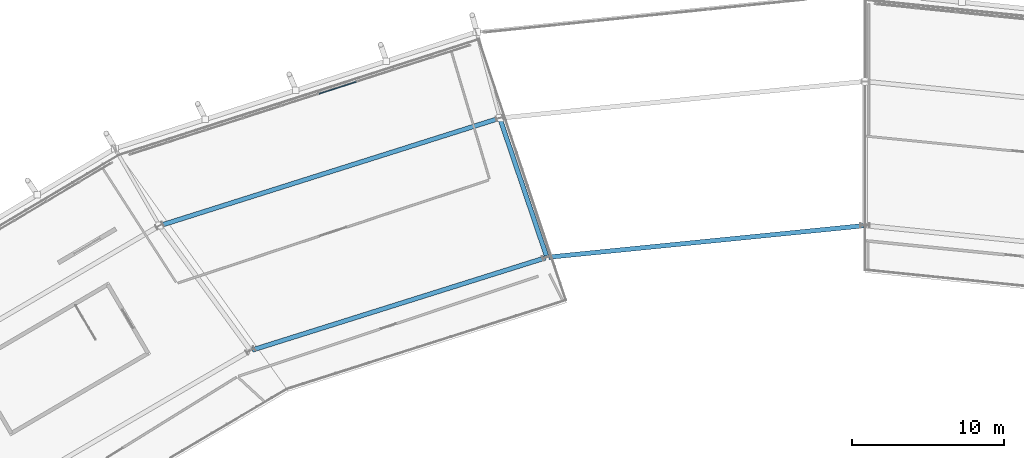
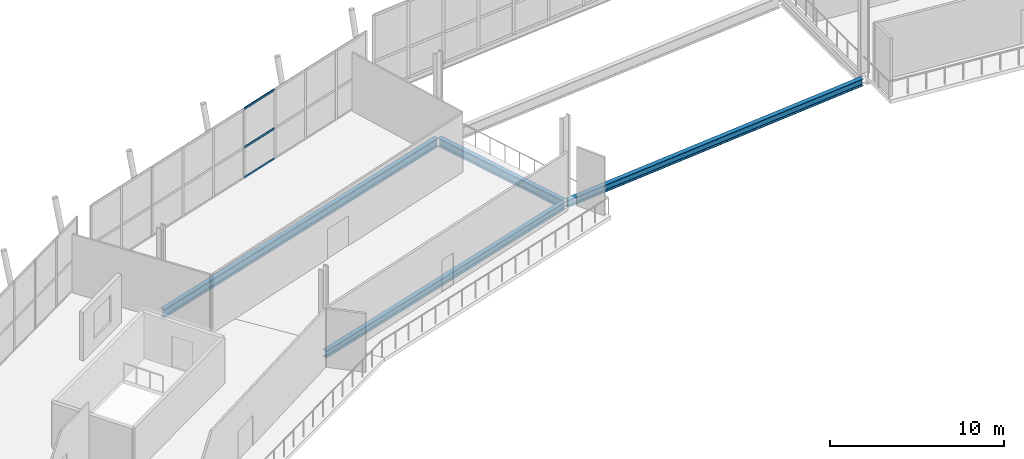
# One storey, part 46 of 99: 4 beams, 3 members, 1 element without a shape of its own.
"""IFC4 building model written with IfcOpenShell, lengths in metres."""

from ifc_helpers import new_model, si_unit, direction, frame, origin, origin_2d, place, context, subcontext, project, spatial, rectangle, i_section, extrude, material, material_profile, profile_set, type_object, element, aggregate, save


model = new_model("IFC4")

# Units and contexts
model_context = context("Model", 3, precision=1e-05, world=origin(), true_north=direction((0.0, 1.0)))
body_context = subcontext(model_context, "Body", "Model", "MODEL_VIEW")
ifc_project = project(units=[si_unit("LENGTHUNIT", "METRE"), si_unit("AREAUNIT", "SQUARE_METRE"), si_unit("VOLUMEUNIT", "CUBIC_METRE"), si_unit("PLANEANGLEUNIT", "RADIAN"), si_unit("MASSUNIT", "GRAM", prefix="KILO")], contexts=[model_context])

# Site, building, storey
site_placement = place(None, origin())
site = spatial("IfcSite", under=ifc_project, at=site_placement, CompositionType="ELEMENT")
building_placement = place(site_placement, origin())
building = spatial("IfcBuilding", under=site, at=building_placement, Name="Zlatoyarsky Gate Stadium", CompositionType="ELEMENT")
storey_placement = place(building_placement, frame((0.0, 0.0, 26.199951171875)))
storey = spatial("IfcBuildingStorey", under=building, at=storey_placement, Name="L05", CompositionType="ELEMENT", Elevation=26.199951171875)

# Curtain wall, members
ifc_material_1 = material(Name="Thermally broken anodised aluminium curtain wall", Category="aluminium")
curtain_wall_type = type_object("IfcCurtainWallType", Name="UNITISED SKYBOX RING GLAZING L05", PredefinedType="USERDEFINED", material=ifc_material_1)
curtain_wall_placement = place(storey_placement, origin())
curtain_wall = element("IfcCurtainWall", 1, at=curtain_wall_placement, inside=storey, type_object=curtain_wall_type, Name="Curtain wall CW-L05-07", ObjectType="UNITISED GLAZING", PredefinedType="USERDEFINED")
ifc_material_2 = material(Name="Anodised aluminium 6063-T6", Category="aluminium")
ifc_material_profile_1 = material_profile(ifc_material_2, rectangle(XDim=0.06494140625, YDim=0.139892578125, at=origin_2d()), Name="ALU 65X140")
ifc_profile_set_1 = profile_set([ifc_material_profile_1], Name="Anodised aluminium 6063-T6")
member_type = type_object("IfcMemberType", Name="ALUMINIUM TRANSOM 65X140", PredefinedType="USERDEFINED", material=ifc_profile_set_1)
member_1_placement = place(storey_placement, frame((77.45947265625, 150.969482421875, 0.032470703125), z_axis=(-0.952031545133, -0.305999897176, 0.0), x_axis=(0.305999897176, -0.952031545133, 0.0)))
member_1 = element("IfcMember", 2, at=member_1_placement, type_object=member_type, Name="CW-UG5 transom 4.1", ObjectType="TRANSOM", PredefinedType="USERDEFINED", context=body_context, shape_type="SweptSolid", body=[
    extrude(rectangle(XDim=0.06494140625, YDim=0.139892578125, at=origin_2d()), origin(), (0.0, 0.0, 1.0), 2.553955078125),
])
member_2_placement = place(storey_placement, frame((77.45947265625, 150.969482421875, 2.150146484375), z_axis=(-0.952031545133, -0.305999897176, 0.0), x_axis=(0.305999897176, -0.952031545133, 0.0)))
member_2 = element("IfcMember", 3, at=member_2_placement, type_object=member_type, Name="CW-UG5 transom 4.2", ObjectType="TRANSOM", PredefinedType="USERDEFINED", context=body_context, shape_type="SweptSolid", body=[
    extrude(rectangle(XDim=0.06494140625, YDim=0.139892578125, at=origin_2d()), origin(), (0.0, 0.0, 1.0), 2.553955078125),
])
member_3_placement = place(storey_placement, frame((77.45947265625, 150.969482421875, 4.84765625), z_axis=(-0.952031545133, -0.305999897176, 0.0), x_axis=(0.305999897176, -0.952031545133, 0.0)))
member_3 = element("IfcMember", 4, at=member_3_placement, type_object=member_type, Name="CW-UG5 transom 4.3", ObjectType="TRANSOM", PredefinedType="USERDEFINED", context=body_context, shape_type="SweptSolid", body=[
    extrude(rectangle(XDim=0.06494140625, YDim=0.139892578125, at=origin_2d()), origin(), (0.0, 0.0, 1.0), 2.553955078125),
])
aggregate(curtain_wall, [member_1, member_2, member_3])

# Beams
ifc_material_3 = material(Name="Steel S355", Category="steel")
ifc_material_profile_2 = material_profile(ifc_material_3, i_section(OverallWidth=0.300048828125, OverallDepth=0.5, WebThickness=0.014404296875, FlangeThickness=0.028076171875, FilletRadius=0.027099609375, at=origin_2d()), Name="HEB 500")
ifc_profile_set_2 = profile_set([ifc_material_profile_2], Name="Steel S355")
beam_type_1 = type_object("IfcBeamType", Name="STEEL PRIMARY GIRDER HEB 500", PredefinedType="BEAM", material=ifc_profile_set_2)
beam_1_placement = place(storey_placement, frame((110.880615234375, 141.488037109375, -0.510009765625), z_axis=(-0.995040903182, -0.099466582298, 0.0), x_axis=(0.099466582298, -0.995040903182, 0.0)))
element("IfcBeam", 5, at=beam_1_placement, inside=storey, type_object=beam_type_1, Name="Beam G-HEB500 BM-L05-CRB-06", PredefinedType="BEAM", context=body_context, shape_type="SweptSolid", body=[
    extrude(i_section(OverallWidth=0.300048828125, OverallDepth=0.5, WebThickness=0.014404296875, FlangeThickness=0.028076171875, FilletRadius=0.027099609375, at=origin_2d()), origin(), (0.0, 0.0, 1.0), 20.828857421875),
])
beam_2_placement = place(storey_placement, frame((89.921142578125, 139.368408203125, -0.510009765625), z_axis=(-0.953937507984, -0.300005384719, 0.0), x_axis=(0.300005384719, -0.953937507984, 0.0)))
element("IfcBeam", 6, at=beam_2_placement, inside=storey, type_object=beam_type_1, Name="Beam G-HEB500 BM-L05-CRB-07", PredefinedType="BEAM", context=body_context, shape_type="SweptSolid", body=[
    extrude(i_section(OverallWidth=0.300048828125, OverallDepth=0.5, WebThickness=0.014404296875, FlangeThickness=0.028076171875, FilletRadius=0.027099609375, at=origin_2d()), origin(), (0.0, 0.0, 1.0), 20.239013671875),
])
ifc_material_profile_3 = material_profile(ifc_material_3, i_section(OverallWidth=0.300048828125, OverallDepth=0.60009765625, WebThickness=0.015380859375, FlangeThickness=0.030029296875, FilletRadius=0.027099609375, at=origin_2d()), Name="HEB 600")
ifc_profile_set_3 = profile_set([ifc_material_profile_3], Name="Steel S355")
beam_type_2 = type_object("IfcBeamType", Name="STEEL PRIMARY GIRDER HEB 600", PredefinedType="BEAM", material=ifc_profile_set_3)
beam_3_placement = place(storey_placement, frame((89.997314453125, 139.51806640625, -0.56005859375), z_axis=(-0.320612225581, 0.947210536686, 0.0), x_axis=(-0.947210536686, -0.320612225581, 0.0)))
element("IfcBeam", 7, at=beam_3_placement, inside=storey, type_object=beam_type_2, Name="Beam G-HEB600 BM-L05-RBC-07", PredefinedType="BEAM", context=body_context, shape_type="SweptSolid", body=[
    extrude(i_section(OverallWidth=0.300048828125, OverallDepth=0.60009765625, WebThickness=0.015380859375, FlangeThickness=0.030029296875, FilletRadius=0.027099609375, at=origin_2d()), origin(), (0.0, 0.0, 1.0), 9.44775390625),
])
beam_4_placement = place(storey_placement, frame((86.8154296875, 148.54443359375, -0.56005859375), z_axis=(-0.953463107403, -0.301509706015, 0.0), x_axis=(0.301509706015, -0.953463107403, 0.0)))
element("IfcBeam", 8, at=beam_4_placement, inside=storey, type_object=beam_type_2, Name="Beam G-HEB600 BM-L05-CRC-07", PredefinedType="BEAM", context=body_context, shape_type="SweptSolid", body=[
    extrude(i_section(OverallWidth=0.300048828125, OverallDepth=0.60009765625, WebThickness=0.015380859375, FlangeThickness=0.030029296875, FilletRadius=0.027099609375, at=origin_2d()), origin(), (0.0, 0.0, 1.0), 23.284423828125),
])

save(model, "model.ifc")
